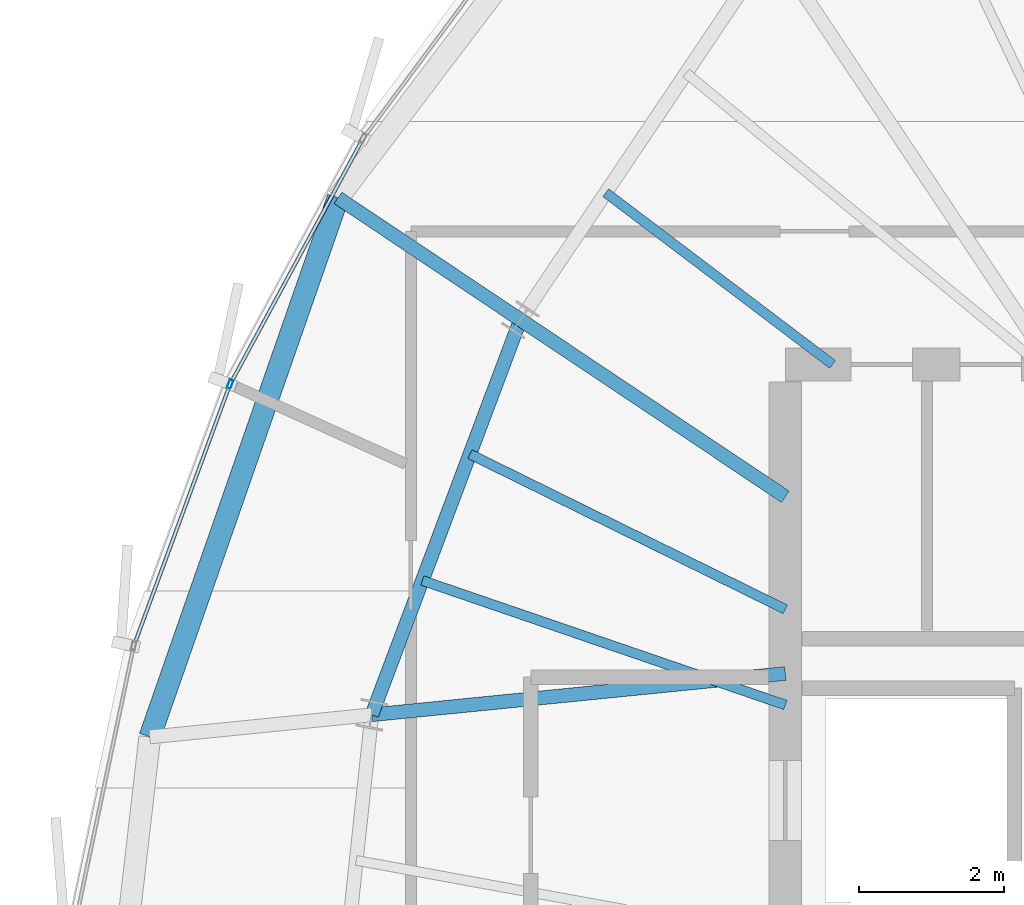
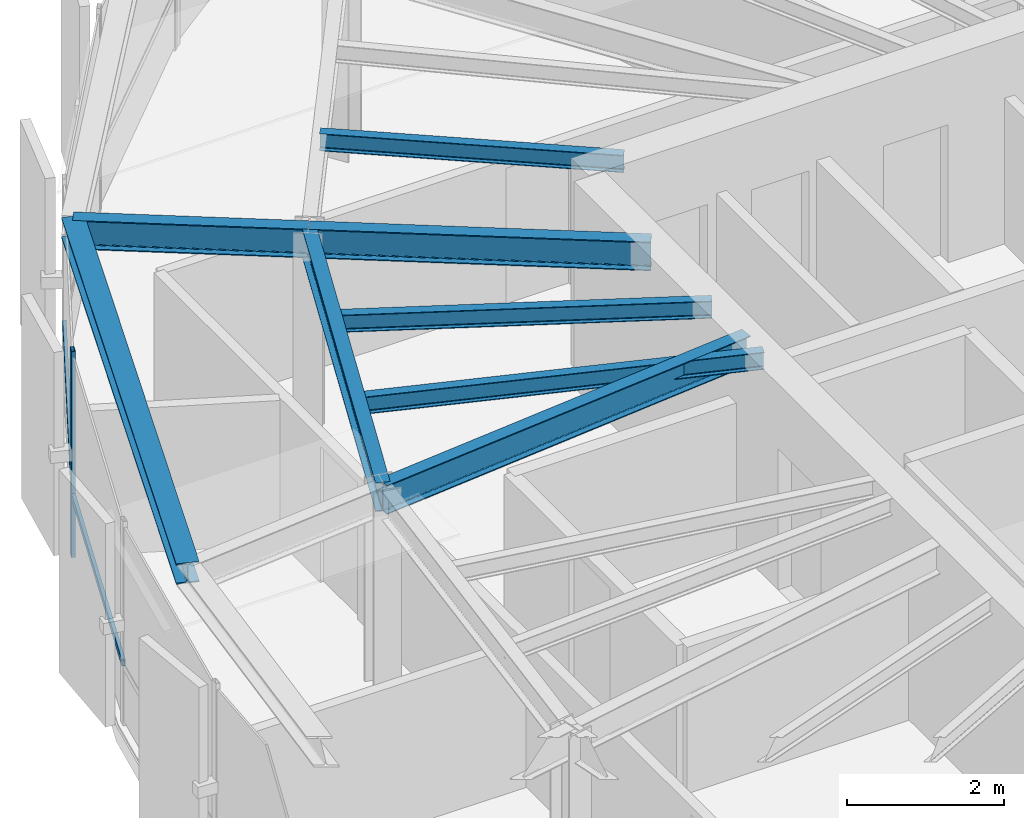
# One storey, part 11 of 30: 8 beams, 3 members, 1 element without a shape of its own.
"""IFC4 building model written with IfcOpenShell, lengths in metres."""

from ifc_helpers import new_model, si_unit, direction, frame, origin, origin_2d, place, context, subcontext, project, spatial, hollow_rectangle, i_section, extrude, source, transform, mapped, material, layer, layer_set, material_profile, profile_set, type_object, element, aggregate, save


model = new_model("IFC4")

# Units and contexts
model_context = context("Model", 3, precision=1e-05, world=origin(), true_north=direction((0.0, 1.0)))
body_context = subcontext(model_context, "Body", "Model", "MODEL_VIEW")
ifc_project = project(units=[si_unit("LENGTHUNIT", "METRE"), si_unit("AREAUNIT", "SQUARE_METRE"), si_unit("VOLUMEUNIT", "CUBIC_METRE"), si_unit("PLANEANGLEUNIT", "RADIAN"), si_unit("MASSUNIT", "GRAM", prefix="KILO"), si_unit("THERMODYNAMICTEMPERATUREUNIT", "KELVIN")], contexts=[model_context])

# Site, building, storey
site_placement = place(None, origin())
site = spatial("IfcSite", under=ifc_project, at=site_placement, CompositionType="ELEMENT")
building_placement = place(site_placement, origin())
building = spatial("IfcBuilding", under=site, at=building_placement, Name="Kethvar Cultural Tower", CompositionType="ELEMENT")
storey_placement = place(building_placement, frame((0.0, 0.0, 297.39990234375)))
storey = spatial("IfcBuildingStorey", under=building, at=storey_placement, Name="L79", CompositionType="ELEMENT", Elevation=297.39990234375)

# Beams
ifc_material_1 = material(Name="Steel S355J2", Category="steel")
ifc_material_profile_1 = material_profile(ifc_material_1, i_section(OverallWidth=0.18994140625, OverallDepth=0.449951171875, WebThickness=0.009521484375, FlangeThickness=0.0146484375, FilletRadius=0.02099609375, at=origin_2d()), Name="Steel S355J2 — IPE450")
ifc_profile_set_1 = profile_set([ifc_material_profile_1], Name="Steel S355J2 — IPE450")
beam_type_1 = type_object("IfcBeamType", Name="BM-IPE450", PredefinedType="BEAM", material=ifc_profile_set_1)
shared_shape_1 = source(origin(), body_context, "Body", "SweptSolid", [
    extrude(i_section(OverallWidth=0.18994140625, OverallDepth=0.449951171875, WebThickness=0.009521484375, FlangeThickness=0.0146484375, FilletRadius=0.02099609375, at=origin_2d()), origin(), (0.0, 0.0, 1.0), 4.3828125),
])
beam_1_placement = place(storey_placement, frame((38.0, 33.679931640625, 2.983154296875), z_axis=(-0.831449909861, 0.555599718676, 0.0), x_axis=(-0.555599718676, -0.831449909861, 0.0)))
element("IfcBeam", 1, at=beam_1_placement, inside=storey, type_object=beam_type_1, Name="L79 Primary Radial Beam RB-07", PredefinedType="BEAM", context=body_context, shape_type="MappedRepresentation", body=[
    mapped(shared_shape_1, transform((0.0, 0.0, 0.0), scale=1.0)),
])
shared_shape_2 = source(origin(), body_context, "Body", "SweptSolid", [
    extrude(i_section(OverallWidth=0.18994140625, OverallDepth=0.449951171875, WebThickness=0.009521484375, FlangeThickness=0.0146484375, FilletRadius=0.02099609375, at=origin_2d()), origin(), (0.0, 0.0, 1.0), 5.7158203125),
])
beam_2_placement = place(storey_placement, frame((38.0, 31.25, 2.983154296875), z_axis=(-0.995048179628, -0.099393763478, 0.0), x_axis=(0.099393763478, -0.995048179628, 0.0)))
element("IfcBeam", 2, at=beam_2_placement, inside=storey, type_object=beam_type_1, Name="L79 Primary Radial Beam RB-08", PredefinedType="BEAM", context=body_context, shape_type="MappedRepresentation", body=[
    mapped(shared_shape_2, transform((0.0, 0.0, 0.0), scale=1.0)),
])
ifc_material_profile_2 = material_profile(ifc_material_1, i_section(OverallWidth=0.135009765625, OverallDepth=0.27001953125, WebThickness=0.006591796875, FlangeThickness=0.01025390625, FilletRadius=0.014892578125, at=origin_2d()), Name="Steel S355J2 — IPE270")
ifc_profile_set_2 = profile_set([ifc_material_profile_2], Name="Steel S355J2 — IPE270")
beam_type_2 = type_object("IfcBeamType", Name="BM-J270", PredefinedType="JOIST", material=ifc_profile_set_2)
shared_shape_3 = source(origin(), body_context, "Body", "SweptSolid", [
    extrude(i_section(OverallWidth=0.135009765625, OverallDepth=0.27001953125, WebThickness=0.006591796875, FlangeThickness=0.01025390625, FilletRadius=0.014892578125, at=origin_2d()), origin(), (0.0, 0.0, 1.0), 3.91357421875),
])
beam_3_placement = place(storey_placement, frame((38.64990234375, 35.5, 3.072998046875), z_axis=(-0.797214062325, 0.603696727531, 0.0), x_axis=(-0.603696727531, -0.797214062325, 0.0)))
element("IfcBeam", 3, at=beam_3_placement, inside=storey, type_object=beam_type_2, Name="L79 Composite Floor Joist J-06B", PredefinedType="JOIST", context=body_context, shape_type="MappedRepresentation", body=[
    mapped(shared_shape_3, transform((0.0, 0.0, 0.0), scale=1.0)),
])
shared_shape_4 = source(origin(), body_context, "Body", "SweptSolid", [
    extrude(i_section(OverallWidth=0.18994140625, OverallDepth=0.449951171875, WebThickness=0.009521484375, FlangeThickness=0.0146484375, FilletRadius=0.02099609375, at=origin_2d()), origin(), (0.0, 0.0, 1.0), 5.8046875),
])
beam_4_placement = place(storey_placement, frame((34.35595703125, 36.114990234375, 2.983154296875), z_axis=(-0.352035902861, -0.935986497283, 0.0), x_axis=(0.935986497283, -0.352035902861, 0.0)))
element("IfcBeam", 4, at=beam_4_placement, inside=storey, type_object=beam_type_1, Name="L79 Column Ring Tie Beam CR-07", PredefinedType="BEAM", context=body_context, shape_type="MappedRepresentation", body=[
    mapped(shared_shape_4, transform((0.0, 0.0, 0.0), scale=1.0)),
])
shared_shape_5 = source(origin(), body_context, "Body", "SweptSolid", [
    extrude(i_section(OverallWidth=0.135009765625, OverallDepth=0.27001953125, WebThickness=0.006591796875, FlangeThickness=0.01025390625, FilletRadius=0.014892578125, at=origin_2d()), origin(), (0.0, 0.0, 1.0), 4.8359375),
])
beam_5_placement = place(storey_placement, frame((38.0, 32.1318359375, 3.072998046875), z_axis=(-0.897196527088, 0.441631511308, 0.0), x_axis=(-0.441631511308, -0.897196527088, 0.0)))
element("IfcBeam", 5, at=beam_5_placement, inside=storey, type_object=beam_type_2, Name="L79 Composite Floor Joist J-07A", PredefinedType="JOIST", context=body_context, shape_type="MappedRepresentation", body=[
    mapped(shared_shape_5, transform((0.0, 0.0, 0.0), scale=1.0)),
])
shared_shape_6 = source(origin(), body_context, "Body", "SweptSolid", [
    extrude(i_section(OverallWidth=0.135009765625, OverallDepth=0.27001953125, WebThickness=0.006591796875, FlangeThickness=0.01025390625, FilletRadius=0.014892578125, at=origin_2d()), origin(), (0.0, 0.0, 1.0), 5.2783203125),
])
beam_6_placement = place(storey_placement, frame((38.0, 30.817138671875, 3.072998046875), z_axis=(-0.945942702368, 0.324333784607, 0.0), x_axis=(-0.324333784607, -0.945942702368, 0.0)))
element("IfcBeam", 6, at=beam_6_placement, inside=storey, type_object=beam_type_2, Name="L79 Composite Floor Joist J-07B", PredefinedType="JOIST", context=body_context, shape_type="MappedRepresentation", body=[
    mapped(shared_shape_6, transform((0.0, 0.0, 0.0), scale=1.0)),
])
shared_shape_7 = source(origin(), body_context, "Body", "SweptSolid", [
    extrude(i_section(OverallWidth=0.18994140625, OverallDepth=0.449951171875, WebThickness=0.009521484375, FlangeThickness=0.0146484375, FilletRadius=0.02099609375, at=origin_2d()), origin(), (0.0, 0.0, 1.0), 3.016845703125),
])
beam_7_placement = place(storey_placement, frame((34.35595703125, 36.114990234375, 2.983154296875), z_axis=(-0.831489629896, 0.555540273405, 0.0), x_axis=(-0.555540273405, -0.831489629896, 0.0)))
element("IfcBeam", 7, at=beam_7_placement, inside=storey, type_object=beam_type_1, Name="L79 Perimeter Cantilever Beam RC-07", PredefinedType="BEAM", context=body_context, shape_type="MappedRepresentation", body=[
    mapped(shared_shape_7, transform((0.0, 0.0, 0.0), scale=1.0)),
])
ifc_material_profile_3 = material_profile(ifc_material_1, i_section(OverallWidth=0.300048828125, OverallDepth=0.320068359375, WebThickness=0.011474609375, FlangeThickness=0.0205078125, FilletRadius=0.027099609375, at=origin_2d()), Name="Steel S355J2 — HEB320")
ifc_profile_set_3 = profile_set([ifc_material_profile_3], Name="Steel S355J2 — HEB320")
beam_type_3 = type_object("IfcBeamType", Name="BM-SP320", PredefinedType="SPANDREL", material=ifc_profile_set_3)
shared_shape_8 = source(origin(), body_context, "Body", "SweptSolid", [
    extrude(i_section(OverallWidth=0.300048828125, OverallDepth=0.320068359375, WebThickness=0.011474609375, FlangeThickness=0.0205078125, FilletRadius=0.027099609375, at=origin_2d()), origin(), (0.0, 0.0, 1.0), 7.85302734375),
])
beam_8_placement = place(storey_placement, frame((31.847412109375, 37.791015625, 3.048095703125), z_axis=(-0.329598384103, -0.944121234374, 0.0), x_axis=(0.944121234374, -0.329598384103, 0.0)))
element("IfcBeam", 8, at=beam_8_placement, inside=storey, type_object=beam_type_3, Name="L79 Perimeter Spandrel Beam SP-07", PredefinedType="SPANDREL", context=body_context, shape_type="MappedRepresentation", body=[
    mapped(shared_shape_8, transform((0.0, 0.0, 0.0), scale=1.0)),
])

# Curtain wall, members
ifc_material_2 = material(Name="Aluminium 6063-T6", Category="aluminium")
ifc_layer = layer(ifc_material_2, 0.179931640625, Name="Aluminium 6063-T6", Category="aluminium")
ifc_layer_set = layer_set([ifc_layer], Name="Aluminium 6063-T6 (180 mm)")
curtain_wall_type = type_object("IfcCurtainWallType", Name="CW-SYS-05-Z56", PredefinedType="NOTDEFINED", material=ifc_layer_set)
curtain_wall_placement = place(storey_placement, origin())
curtain_wall = element("IfcCurtainWall", 9, at=curtain_wall_placement, inside=storey, type_object=curtain_wall_type, Name="L79 Curtain Wall Run 02", PredefinedType="NOTDEFINED")
ifc_material_profile_4 = material_profile(ifc_material_2, hollow_rectangle(XDim=0.054931640625, YDim=0.1201171875, WallThickness=0.00390625, at=origin_2d()), Name="Aluminium 6063-T6 — RHS120x55x4")
ifc_profile_set_4 = profile_set([ifc_material_profile_4], Name="Aluminium 6063-T6 — RHS120x55x4")
member_type_1 = type_object("IfcMemberType", Name="CW-SYS-05-Z56-MUL", PredefinedType="MULLION", material=ifc_profile_set_4)
shared_shape_9 = source(origin(), body_context, "Body", "SweptSolid", [
    extrude(hollow_rectangle(XDim=0.054931640625, YDim=0.1201171875, WallThickness=0.00390625, at=origin_2d()), origin(), (0.0, 0.0, 1.0), 3.210205078125),
])
member_1_placement = place(storey_placement, frame((30.364013671875, 35.22900390625, 0.0), z_axis=(0.0, 0.0, 1.0), x_axis=(0.938511101245, -0.345249059145, 0.0)))
member_1 = element("IfcMember", 10, at=member_1_placement, type_object=member_type_1, Name="CW-L79-R02 Mullion 4", PredefinedType="MULLION", context=body_context, shape_type="MappedRepresentation", body=[
    mapped(shared_shape_9, transform((0.0, 0.0, 0.0), scale=1.0)),
])
ifc_material_profile_5 = material_profile(ifc_material_2, hollow_rectangle(XDim=0.050048828125, YDim=0.10009765625, WallThickness=0.00390625, at=origin_2d()), Name="Aluminium 6063-T6 — RHS100x50x4")
ifc_profile_set_5 = profile_set([ifc_material_profile_5], Name="Aluminium 6063-T6 — RHS100x50x4")
member_type_2 = type_object("IfcMemberType", Name="CW-SYS-05-Z56-TRN", PredefinedType="USERDEFINED", material=ifc_profile_set_5)
shared_shape_10 = source(origin(), body_context, "Body", "SweptSolid", [
    extrude(hollow_rectangle(XDim=0.050048828125, YDim=0.10009765625, WallThickness=0.00390625, at=origin_2d()), origin(), (0.0, 0.0, 1.0), 3.777587890625),
])
member_2_placement = place(storey_placement, frame((32.17333984375, 38.57373046875, 0.9501953125), z_axis=(-0.475552180773, -0.879687514611, 0.0), x_axis=(0.879687514611, -0.475552180773, 0.0)))
member_2 = element("IfcMember", 11, at=member_2_placement, type_object=member_type_2, Name="CW-L79-R02 Transom 3", ObjectType="TRANSOM", PredefinedType="USERDEFINED", context=body_context, shape_type="MappedRepresentation", body=[
    mapped(shared_shape_10, transform((0.0, 0.0, 0.0), scale=1.0)),
])
shared_shape_11 = source(origin(), body_context, "Body", "SweptSolid", [
    extrude(hollow_rectangle(XDim=0.050048828125, YDim=0.10009765625, WallThickness=0.00390625, at=origin_2d()), origin(), (0.0, 0.0, 1.0), 3.7724609375),
])
member_3_placement = place(storey_placement, frame((30.350341796875, 35.19189453125, 0.9501953125), z_axis=(-0.345258465345, -0.938507640943, 0.0), x_axis=(0.938507640943, -0.345258465345, 0.0)))
member_3 = element("IfcMember", 12, at=member_3_placement, type_object=member_type_2, Name="CW-L79-R02 Transom 4", ObjectType="TRANSOM", PredefinedType="USERDEFINED", context=body_context, shape_type="MappedRepresentation", body=[
    mapped(shared_shape_11, transform((0.0, 0.0, 0.0), scale=1.0)),
])
aggregate(curtain_wall, [member_1, member_2, member_3])

save(model, "model.ifc")
